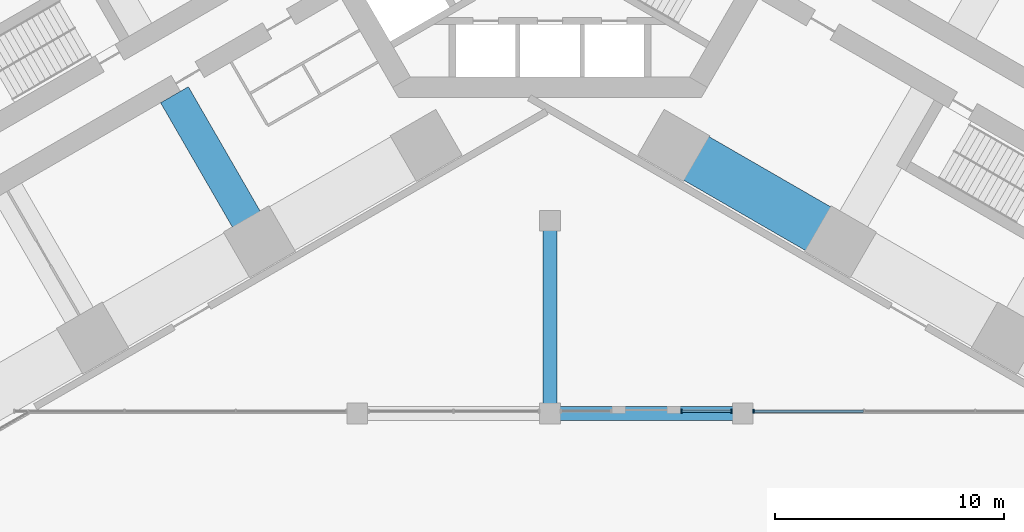
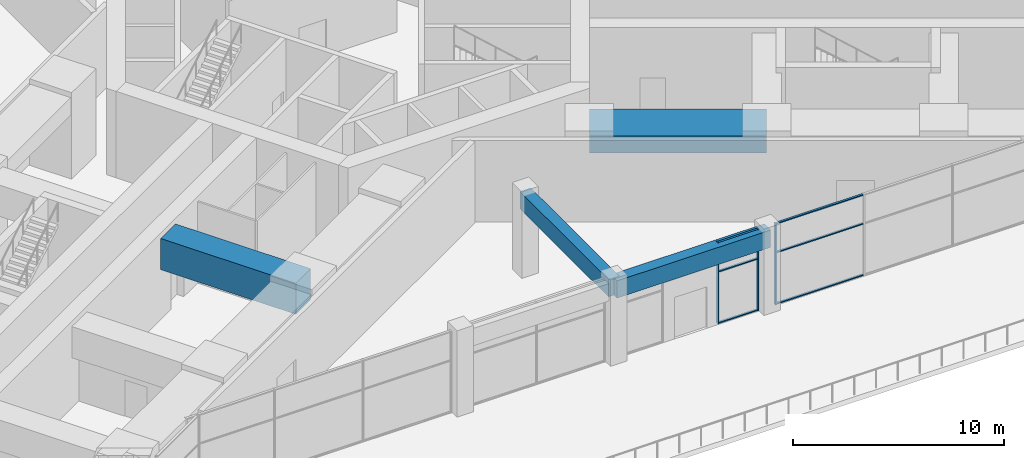
# One storey, part 5 of 34: 9 members, 4 beams, 2 elements without a shape of their own.
"""IFC4 building model written with IfcOpenShell, lengths in metres."""

from ifc_helpers import new_model, si_unit, direction, frame, origin, origin_2d, place, context, subcontext, project, spatial, rectangle, extrude, material, material_profile, profile_set, type_object, element, aggregate, save


model = new_model("IFC4")

# Units and contexts
model_context = context("Model", 3, precision=1e-05, world=origin(), true_north=direction((0.0, 1.0)))
body_context = subcontext(model_context, "Body", "Model", "MODEL_VIEW")
ifc_project = project(units=[si_unit("LENGTHUNIT", "METRE"), si_unit("AREAUNIT", "SQUARE_METRE"), si_unit("VOLUMEUNIT", "CUBIC_METRE"), si_unit("PLANEANGLEUNIT", "RADIAN"), si_unit("MASSUNIT", "GRAM", prefix="KILO")], contexts=[model_context])

# Site, building, storey
site_placement = place(None, origin())
site = spatial("IfcSite", under=ifc_project, at=site_placement, CompositionType="ELEMENT")
building_placement = place(site_placement, origin())
building = spatial("IfcBuilding", under=site, at=building_placement, Name="Impinga Residences", CompositionType="ELEMENT")
storey_placement = place(building_placement, frame((0.0, 0.0, 11.0)))
storey = spatial("IfcBuildingStorey", under=building, at=storey_placement, Name="L02", CompositionType="ELEMENT", Elevation=11.0)

# Beam
ifc_material_1 = material(Name="Concrete C60/75", Category="concrete")
ifc_material_profile_1 = material_profile(ifc_material_1, rectangle(XDim=1.39990234375, YDim=1.800048828125, at=origin_2d()), Name="RC 1400x1800")
ifc_profile_set_1 = profile_set([ifc_material_profile_1], Name="Concrete C60/75")
beam_type_1 = type_object("IfcBeamType", Name="CG4 1400x1800 cross girder on a wing bay line under the podium floors", PredefinedType="BEAM", material=ifc_profile_set_1)
beam_1_placement = place(storey_placement, frame((-16.37451171875, -11.301513671875, 3.800048828125), z_axis=(0.500003285667, -0.866023506795, 0.0), x_axis=(0.866023506795, 0.500003285667, 0.0)))
element("IfcBeam", 1, at=beam_1_placement, inside=storey, type_object=beam_type_1, Name="Beam CG4 W2 WC/WA level L03", PredefinedType="BEAM", context=body_context, shape_type="SweptSolid", body=[
    extrude(rectangle(XDim=1.39990234375, YDim=1.800048828125, at=origin_2d()), origin(), (0.0, 0.0, 1.0), 7.39990234375),
])

# Curtain wall, member
ifc_material_2 = material(Name="Aluminium stick curtain wall", Category="aluminium")
curtain_wall_type = type_object("IfcCurtainWallType", Name="CW1 podium amenity curtain wall", PredefinedType="USERDEFINED", material=ifc_material_2)
curtain_wall_1_placement = place(storey_placement, origin())
curtain_wall_1 = element("IfcCurtainWall", 2, at=curtain_wall_1_placement, inside=storey, type_object=curtain_wall_type, Name="Curtain wall CW1 L02", ObjectType="STICK CURTAIN WALL", PredefinedType="USERDEFINED")
ifc_material_3 = material(Name="Aluminium mullion", Category="aluminium")
ifc_material_profile_2 = material_profile(ifc_material_3, rectangle(XDim=0.06005859375, YDim=0.179931640625, at=origin_2d()), Name="60x180 mullion")
ifc_profile_set_2 = profile_set([ifc_material_profile_2], Name="Aluminium mullion")
member_type_1 = type_object("IfcMemberType", Name="CW1-M mullion 60x180", PredefinedType="MULLION", material=ifc_profile_set_2)
member_1_placement = place(storey_placement, frame((8.883056640625, -25.10009765625, 0.0), z_axis=(0.0, 0.0, 1.0), x_axis=(-1.0, 0.0, 0.0)))
member_1 = element("IfcMember", 3, at=member_1_placement, type_object=member_type_1, Name="CW1 mullion 4", PredefinedType="MULLION", context=body_context, shape_type="SweptSolid", body=[
    extrude(rectangle(XDim=0.06005859375, YDim=0.179931640625, at=origin_2d()), origin(), (0.0, 0.0, 1.0), 4.699951171875),
])

# Curtain wall, members
curtain_wall_2_placement = place(storey_placement, origin())
curtain_wall_2 = element("IfcCurtainWall", 4, at=curtain_wall_2_placement, inside=storey, type_object=curtain_wall_type, Name="Curtain wall CW1 L02", ObjectType="STICK CURTAIN WALL", PredefinedType="USERDEFINED")
member_2_placement = place(storey_placement, frame((7.9169921875, -25.10009765625, 0.0), z_axis=(0.0, 0.0, 1.0), x_axis=(-1.0, 0.0, 0.0)))
member_2 = element("IfcMember", 5, at=member_2_placement, type_object=member_type_1, Name="CW1 mullion 1", PredefinedType="MULLION", context=body_context, shape_type="SweptSolid", body=[
    extrude(rectangle(XDim=0.06005859375, YDim=0.179931640625, at=origin_2d()), origin(), (0.0, 0.0, 1.0), 4.699951171875),
])
member_3_placement = place(storey_placement, frame((5.729736328125, -25.10009765625, 0.0), z_axis=(0.0, 0.0, 1.0), x_axis=(-1.0, 0.0, 0.0)))
member_3 = element("IfcMember", 6, at=member_3_placement, type_object=member_type_1, Name="CW1 mullion 2", PredefinedType="MULLION", context=body_context, shape_type="SweptSolid", body=[
    extrude(rectangle(XDim=0.06005859375, YDim=0.179931640625, at=origin_2d()), origin(), (0.0, 0.0, 1.0), 4.699951171875),
])

# Member
ifc_material_4 = material(Name="Aluminium transom", Category="aluminium")
ifc_material_profile_3 = material_profile(ifc_material_4, rectangle(XDim=0.06005859375, YDim=0.1201171875, at=origin_2d()), Name="60x120 transom")
ifc_profile_set_3 = profile_set([ifc_material_profile_3], Name="Aluminium transom")
member_type_2 = type_object("IfcMemberType", Name="CW1-T transom 60x120", PredefinedType="USERDEFINED", material=ifc_profile_set_3)
member_4_placement = place(storey_placement, frame((13.669921875, -25.10009765625, 0.030029296875), z_axis=(-1.0, 0.0, 0.0), x_axis=(0.0, 0.0, 1.0)))
member_4 = element("IfcMember", 7, at=member_4_placement, type_object=member_type_2, Name="CW1 transom 3.1", ObjectType="TRANSOM", PredefinedType="USERDEFINED", context=body_context, shape_type="SweptSolid", body=[
    extrude(rectangle(XDim=0.06005859375, YDim=0.1201171875, at=origin_2d()), origin(), (0.0, 0.0, 1.0), 4.7568359375),
])

member_5_placement = place(storey_placement, frame((13.669921875, -25.10009765625, 3.0), z_axis=(-1.0, 0.0, 0.0), x_axis=(0.0, 0.0, 1.0)))
member_5 = element("IfcMember", 8, at=member_5_placement, type_object=member_type_2, Name="CW1 transom 3.2", ObjectType="TRANSOM", PredefinedType="USERDEFINED", context=body_context, shape_type="SweptSolid", body=[
    extrude(rectangle(XDim=0.06005859375, YDim=0.1201171875, at=origin_2d()), origin(), (0.0, 0.0, 1.0), 4.7568359375),
])

member_6_placement = place(storey_placement, frame((13.669921875, -25.10009765625, 4.669921875), z_axis=(-1.0, 0.0, 0.0), x_axis=(0.0, 0.0, 1.0)))
member_6 = element("IfcMember", 9, at=member_6_placement, type_object=member_type_2, Name="CW1 transom 3.3", ObjectType="TRANSOM", PredefinedType="USERDEFINED", context=body_context, shape_type="SweptSolid", body=[
    extrude(rectangle(XDim=0.06005859375, YDim=0.1201171875, at=origin_2d()), origin(), (0.0, 0.0, 1.0), 4.7568359375),
])

aggregate(curtain_wall_1, [member_1, member_4, member_5, member_6])

member_7_placement = place(storey_placement, frame((7.886962890625, -25.10009765625, 0.030029296875), z_axis=(-1.0, 0.0, 0.0), x_axis=(0.0, 0.0, 1.0)))
member_7 = element("IfcMember", 10, at=member_7_placement, type_object=member_type_2, Name="CW1 transom 1.1", ObjectType="TRANSOM", PredefinedType="USERDEFINED", context=body_context, shape_type="SweptSolid", body=[
    extrude(rectangle(XDim=0.06005859375, YDim=0.1201171875, at=origin_2d()), origin(), (0.0, 0.0, 1.0), 2.127197265625),
])

member_8_placement = place(storey_placement, frame((7.886962890625, -25.10009765625, 3.0), z_axis=(-1.0, 0.0, 0.0), x_axis=(0.0, 0.0, 1.0)))
member_8 = element("IfcMember", 11, at=member_8_placement, type_object=member_type_2, Name="CW1 transom 1.2", ObjectType="TRANSOM", PredefinedType="USERDEFINED", context=body_context, shape_type="SweptSolid", body=[
    extrude(rectangle(XDim=0.06005859375, YDim=0.1201171875, at=origin_2d()), origin(), (0.0, 0.0, 1.0), 2.127197265625),
])

member_9_placement = place(storey_placement, frame((7.886962890625, -25.10009765625, 4.669921875), z_axis=(-1.0, 0.0, 0.0), x_axis=(0.0, 0.0, 1.0)))
member_9 = element("IfcMember", 12, at=member_9_placement, type_object=member_type_2, Name="CW1 transom 1.3", ObjectType="TRANSOM", PredefinedType="USERDEFINED", context=body_context, shape_type="SweptSolid", body=[
    extrude(rectangle(XDim=0.06005859375, YDim=0.1201171875, at=origin_2d()), origin(), (0.0, 0.0, 1.0), 2.127197265625),
])

aggregate(curtain_wall_2, [member_2, member_3, member_7, member_8, member_9])

# Beams
ifc_material_profile_4 = material_profile(ifc_material_1, rectangle(XDim=0.60009765625, YDim=1.0, at=origin_2d()), Name="RC 600x1000")
ifc_profile_set_4 = profile_set([ifc_material_profile_4], Name="Concrete C60/75")
beam_type_2 = type_object("IfcBeamType", Name="PB2 600x1000 podium beam", PredefinedType="BEAM", material=ifc_profile_set_4)
for number, where, z_axis, x_axis, name in (
    (13, (0.0, -25.199951171875, 4.199951171875), (1.0, 0.0, 0.0), (0.0, 1.0, 0.0), "Beam PB2 C/7-8 level L03"),
    (14, (0.0, -25.199951171875, 4.199951171875), (0.0, 1.0, 0.0), (-1.0, 0.0, 0.0), "Beam PB2 7/C-D level L03"),
):
    element("IfcBeam", number, at=place(storey_placement, frame(where, z_axis=z_axis, x_axis=x_axis)), inside=storey, type_object=beam_type_2, Name=name, PredefinedType="BEAM", context=body_context, shape_type="SweptSolid", body=[
        extrude(rectangle(XDim=0.60009765625, YDim=1.0, at=origin_2d()), origin(), (0.0, 0.0, 1.0), 8.39990234375),
    ])
ifc_material_profile_5 = material_profile(ifc_material_1, rectangle(XDim=2.199951171875, YDim=1.0, at=origin_2d()), Name="RC 2200x1000")
ifc_profile_set_5 = profile_set([ifc_material_profile_5], Name="Concrete C60/75")
beam_type_3 = type_object("IfcBeamType", Name="PB3 2200x1000 podium band beam", PredefinedType="BEAM", material=ifc_profile_set_5)
beam_2_placement = place(storey_placement, frame((5.39990234375, -13.510009765625, 4.199951171875), z_axis=(0.86602925447, -0.499993330357, 0.0), x_axis=(0.499993330357, 0.86602925447, 0.0)))
element("IfcBeam", 15, at=beam_2_placement, inside=storey, type_object=beam_type_3, Name="Beam PB3 EF E1-E2 level L03", PredefinedType="BEAM", context=body_context, shape_type="SweptSolid", body=[
    extrude(rectangle(XDim=2.199951171875, YDim=1.0, at=origin_2d()), origin(), (0.0, 0.0, 1.0), 8.39990234375),
])

save(model, "model.ifc")
